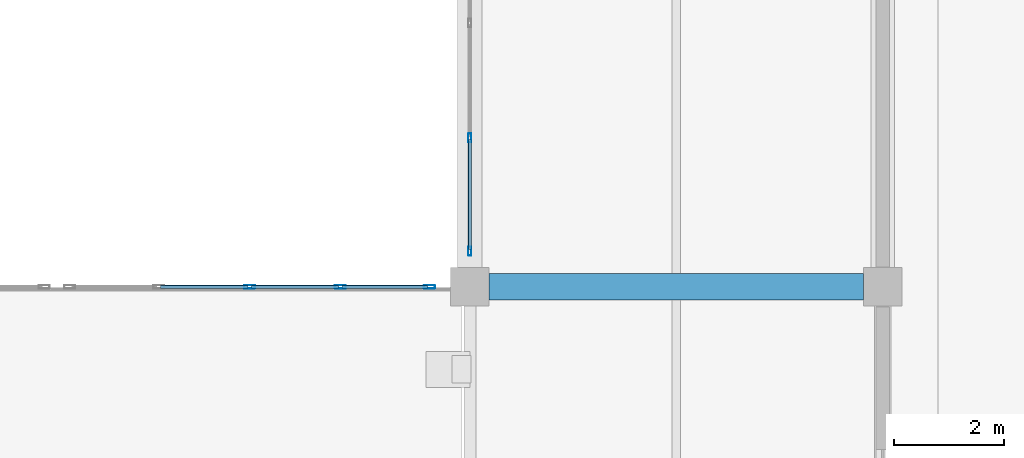
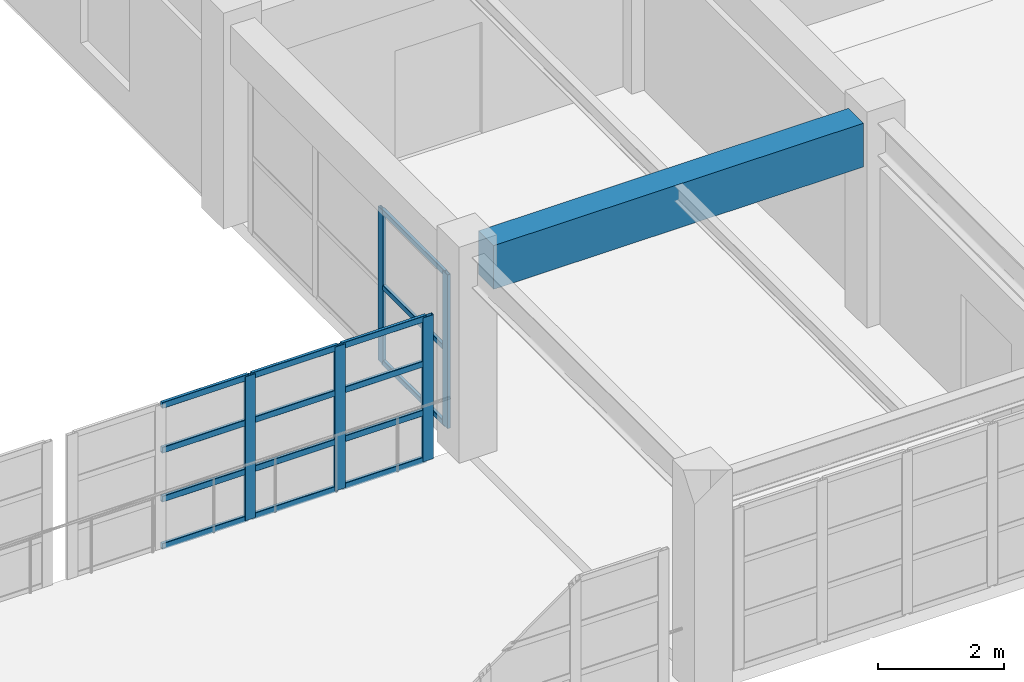
# One storey, part 59 of 132: 20 members, 1 beam, 2 elements without a shape of their own.
"""IFC4 building model written with IfcOpenShell, lengths in metres."""

from ifc_helpers import new_model, si_unit, direction, frame, origin, origin_2d, place, context, subcontext, project, spatial, rectangle, hollow_rectangle, extrude, material, material_profile, profile_set, type_object, element, aggregate, save


model = new_model("IFC4")

# Units and contexts
model_context = context("Model", 3, precision=1e-05, world=origin(), true_north=direction((0.0, 1.0)))
body_context = subcontext(model_context, "Body", "Model", "MODEL_VIEW")
ifc_project = project(units=[si_unit("LENGTHUNIT", "METRE"), si_unit("AREAUNIT", "SQUARE_METRE"), si_unit("VOLUMEUNIT", "CUBIC_METRE"), si_unit("PLANEANGLEUNIT", "RADIAN"), si_unit("MASSUNIT", "GRAM", prefix="KILO")], contexts=[model_context])

# Site, building, storey
site_placement = place(None, origin())
site = spatial("IfcSite", under=ifc_project, at=site_placement, CompositionType="ELEMENT")
building_placement = place(site_placement, origin())
building = spatial("IfcBuilding", under=site, at=building_placement, Name="Qasida Concert Hall", CompositionType="ELEMENT")
storey_placement = place(building_placement, frame((0.0, 0.0, 4.800048828125)))
storey = spatial("IfcBuildingStorey", under=building, at=storey_placement, Name="L01", CompositionType="ELEMENT", Elevation=4.800048828125)

# Beam
ifc_material_1 = material(Name="Concrete C40/50", Category="concrete")
ifc_material_profile_1 = material_profile(ifc_material_1, rectangle(XDim=0.47998046875, YDim=0.85009765625, at=origin_2d()), Name="RC 480x850")
ifc_profile_set_1 = profile_set([ifc_material_profile_1], Name="Concrete C40/50")
beam_type = type_object("IfcBeamType", Name="BM-G6", PredefinedType="USERDEFINED", material=ifc_profile_set_1)
beam_placement = place(storey_placement, frame((120.35009765625, 82.5, 3.494873046875), z_axis=(1.0, 0.0, 0.0), x_axis=(0.0, 1.0, 0.0)))
element("IfcBeam", 1, at=beam_placement, inside=storey, type_object=beam_type, Name="Primary girder 0983", ObjectType="GIRDER", PredefinedType="USERDEFINED", context=body_context, shape_type="SweptSolid", body=[
    extrude(rectangle(XDim=0.47998046875, YDim=0.85009765625, at=origin_2d()), origin(), (0.0, 0.0, 1.0), 6.7998046875),
])

# Curtain wall, members
ifc_material_2 = material(Name="Architectural bronze-anodized aluminium and low-E glass", Category="aluminium")
curtain_wall_type_1 = type_object("IfcCurtainWallType", Name="CW-08", PredefinedType="NOTDEFINED", material=ifc_material_2)
curtain_wall_1_placement = place(storey_placement, origin())
curtain_wall_1 = element("IfcCurtainWall", 2, at=curtain_wall_1_placement, inside=storey, type_object=curtain_wall_type_1, Name="L01 link bridge glazing 0229", PredefinedType="NOTDEFINED")
ifc_material_3 = material(Name="Architectural bronze-anodized aluminium EN AW-6063", Category="aluminium")
ifc_material_profile_2 = material_profile(ifc_material_3, hollow_rectangle(XDim=0.06494140625, YDim=0.199951171875, WallThickness=0.0048828125, InnerFilletRadius=0.0048828125, OuterFilletRadius=0.010009765625, at=origin_2d()), Name="CWM 200x65x5")
ifc_profile_set_2 = profile_set([ifc_material_profile_2], Name="Architectural bronze-anodized aluminium EN AW-6063")
member_type_1 = type_object("IfcMemberType", Name="MB-CWM-2", PredefinedType="MULLION", material=ifc_profile_set_2)
member_1_placement = place(storey_placement, frame((116.0, 82.5, 0.0), z_axis=(0.0, 0.0, 1.0), x_axis=(0.0, 1.0, 0.0)))
member_1 = element("IfcMember", 3, at=member_1_placement, type_object=member_type_1, Name="CW-08 mullion 3", PredefinedType="MULLION", context=body_context, shape_type="SweptSolid", body=[
    extrude(hollow_rectangle(XDim=0.06494140625, YDim=0.199951171875, WallThickness=0.0048828125, InnerFilletRadius=0.0048828125, OuterFilletRadius=0.010009765625, at=origin_2d()), origin(), (0.0, 0.0, 1.0), 2.800048828125),
])
member_2_placement = place(storey_placement, frame((117.64990234375, 82.5, 0.0), z_axis=(0.0, 0.0, 1.0), x_axis=(0.0, 1.0, 0.0)))
member_2 = element("IfcMember", 4, at=member_2_placement, type_object=member_type_1, Name="CW-08 mullion 4", PredefinedType="MULLION", context=body_context, shape_type="SweptSolid", body=[
    extrude(hollow_rectangle(XDim=0.06494140625, YDim=0.199951171875, WallThickness=0.0048828125, InnerFilletRadius=0.0048828125, OuterFilletRadius=0.010009765625, at=origin_2d()), origin(), (0.0, 0.0, 1.0), 2.800048828125),
])
member_3_placement = place(storey_placement, frame((119.267578125, 82.5, 0.0), z_axis=(0.0, 0.0, 1.0), x_axis=(0.0, 1.0, 0.0)))
member_3 = element("IfcMember", 5, at=member_3_placement, type_object=member_type_1, Name="CW-08 mullion 5", PredefinedType="MULLION", context=body_context, shape_type="SweptSolid", body=[
    extrude(hollow_rectangle(XDim=0.06494140625, YDim=0.199951171875, WallThickness=0.0048828125, InnerFilletRadius=0.0048828125, OuterFilletRadius=0.010009765625, at=origin_2d()), origin(), (0.0, 0.0, 1.0), 2.800048828125),
])

curtain_wall_type_2 = type_object("IfcCurtainWallType", Name="CW-09", PredefinedType="NOTDEFINED", material=ifc_material_2)
curtain_wall_2_placement = place(storey_placement, origin())
curtain_wall_2 = element("IfcCurtainWall", 6, at=curtain_wall_2_placement, inside=storey, type_object=curtain_wall_type_2, Name="L01 curtain wall CW-09 0165", PredefinedType="NOTDEFINED")
ifc_material_profile_3 = material_profile(ifc_material_3, hollow_rectangle(XDim=0.06005859375, YDim=0.159912109375, WallThickness=0.00390625, InnerFilletRadius=0.00390625, OuterFilletRadius=0.008056640625, at=origin_2d()), Name="CWM 160x60x4")
ifc_profile_set_3 = profile_set([ifc_material_profile_3], Name="Architectural bronze-anodized aluminium EN AW-6063")
member_type_2 = type_object("IfcMemberType", Name="MB-CWM-3", PredefinedType="MULLION", material=ifc_profile_set_3)
member_4_placement = place(storey_placement, frame((120.0, 83.14990234375, 0.0), z_axis=(0.0, 0.0, 1.0), x_axis=(-1.0, 0.0, 0.0)))
member_4 = element("IfcMember", 7, at=member_4_placement, type_object=member_type_2, Name="CW-09 mullion 1", PredefinedType="MULLION", context=body_context, shape_type="SweptSolid", body=[
    extrude(hollow_rectangle(XDim=0.06005859375, YDim=0.159912109375, WallThickness=0.00390625, InnerFilletRadius=0.00390625, OuterFilletRadius=0.008056640625, at=origin_2d()), origin(), (0.0, 0.0, 1.0), 2.989990234375),
])
member_5_placement = place(storey_placement, frame((120.0, 85.206787109375, 0.0), z_axis=(0.0, 0.0, 1.0), x_axis=(-1.0, 0.0, 0.0)))
member_5 = element("IfcMember", 8, at=member_5_placement, type_object=member_type_2, Name="CW-09 mullion 2", PredefinedType="MULLION", context=body_context, shape_type="SweptSolid", body=[
    extrude(hollow_rectangle(XDim=0.06005859375, YDim=0.159912109375, WallThickness=0.00390625, InnerFilletRadius=0.00390625, OuterFilletRadius=0.008056640625, at=origin_2d()), origin(), (0.0, 0.0, 1.0), 2.989990234375),
])

# Member
ifc_material_profile_4 = material_profile(ifc_material_3, hollow_rectangle(XDim=0.06005859375, YDim=0.1201171875, WallThickness=0.00390625, InnerFilletRadius=0.00390625, OuterFilletRadius=0.008056640625, at=origin_2d()), Name="CWT 120x60x4")
ifc_profile_set_4 = profile_set([ifc_material_profile_4], Name="Architectural bronze-anodized aluminium EN AW-6063")
member_type_3 = type_object("IfcMemberType", Name="MB-CWT-2", PredefinedType="USERDEFINED", material=ifc_profile_set_4)
member_6_placement = place(storey_placement, frame((114.382568359375, 82.5, 0.030029296875), z_axis=(1.0, 0.0, 0.0), x_axis=(0.0, 1.0, 0.0)))
member_6 = element("IfcMember", 9, at=member_6_placement, type_object=member_type_3, Name="CW-08 transom 2.1", ObjectType="TRANSOM", PredefinedType="USERDEFINED", context=body_context, shape_type="SweptSolid", body=[
    extrude(hollow_rectangle(XDim=0.06005859375, YDim=0.1201171875, WallThickness=0.00390625, InnerFilletRadius=0.00390625, OuterFilletRadius=0.008056640625, at=origin_2d()), origin(), (0.0, 0.0, 1.0), 1.5849609375),
])

member_7_placement = place(storey_placement, frame((114.382568359375, 82.5, 0.949951171875), z_axis=(1.0, 0.0, 0.0), x_axis=(0.0, 1.0, 0.0)))
member_7 = element("IfcMember", 10, at=member_7_placement, type_object=member_type_3, Name="CW-08 transom 2.2", ObjectType="TRANSOM", PredefinedType="USERDEFINED", context=body_context, shape_type="SweptSolid", body=[
    extrude(hollow_rectangle(XDim=0.06005859375, YDim=0.1201171875, WallThickness=0.00390625, InnerFilletRadius=0.00390625, OuterFilletRadius=0.008056640625, at=origin_2d()), origin(), (0.0, 0.0, 1.0), 1.5849609375),
])

member_8_placement = place(storey_placement, frame((114.382568359375, 82.5, 1.89990234375), z_axis=(1.0, 0.0, 0.0), x_axis=(0.0, 1.0, 0.0)))
member_8 = element("IfcMember", 11, at=member_8_placement, type_object=member_type_3, Name="CW-08 transom 2.3", ObjectType="TRANSOM", PredefinedType="USERDEFINED", context=body_context, shape_type="SweptSolid", body=[
    extrude(hollow_rectangle(XDim=0.06005859375, YDim=0.1201171875, WallThickness=0.00390625, InnerFilletRadius=0.00390625, OuterFilletRadius=0.008056640625, at=origin_2d()), origin(), (0.0, 0.0, 1.0), 1.5849609375),
])

member_9_placement = place(storey_placement, frame((114.382568359375, 82.5, 2.77001953125), z_axis=(1.0, 0.0, 0.0), x_axis=(0.0, 1.0, 0.0)))
member_9 = element("IfcMember", 12, at=member_9_placement, type_object=member_type_3, Name="CW-08 transom 2.4", ObjectType="TRANSOM", PredefinedType="USERDEFINED", context=body_context, shape_type="SweptSolid", body=[
    extrude(hollow_rectangle(XDim=0.06005859375, YDim=0.1201171875, WallThickness=0.00390625, InnerFilletRadius=0.00390625, OuterFilletRadius=0.008056640625, at=origin_2d()), origin(), (0.0, 0.0, 1.0), 1.5849609375),
])

member_10_placement = place(storey_placement, frame((116.032470703125, 82.5, 0.030029296875), z_axis=(1.0, 0.0, 0.0), x_axis=(0.0, 1.0, 0.0)))
member_10 = element("IfcMember", 13, at=member_10_placement, type_object=member_type_3, Name="CW-08 transom 3.1", ObjectType="TRANSOM", PredefinedType="USERDEFINED", context=body_context, shape_type="SweptSolid", body=[
    extrude(hollow_rectangle(XDim=0.06005859375, YDim=0.1201171875, WallThickness=0.00390625, InnerFilletRadius=0.00390625, OuterFilletRadius=0.008056640625, at=origin_2d()), origin(), (0.0, 0.0, 1.0), 1.5849609375),
])

member_11_placement = place(storey_placement, frame((116.032470703125, 82.5, 0.949951171875), z_axis=(1.0, 0.0, 0.0), x_axis=(0.0, 1.0, 0.0)))
member_11 = element("IfcMember", 14, at=member_11_placement, type_object=member_type_3, Name="CW-08 transom 3.2", ObjectType="TRANSOM", PredefinedType="USERDEFINED", context=body_context, shape_type="SweptSolid", body=[
    extrude(hollow_rectangle(XDim=0.06005859375, YDim=0.1201171875, WallThickness=0.00390625, InnerFilletRadius=0.00390625, OuterFilletRadius=0.008056640625, at=origin_2d()), origin(), (0.0, 0.0, 1.0), 1.5849609375),
])

member_12_placement = place(storey_placement, frame((116.032470703125, 82.5, 1.89990234375), z_axis=(1.0, 0.0, 0.0), x_axis=(0.0, 1.0, 0.0)))
member_12 = element("IfcMember", 15, at=member_12_placement, type_object=member_type_3, Name="CW-08 transom 3.3", ObjectType="TRANSOM", PredefinedType="USERDEFINED", context=body_context, shape_type="SweptSolid", body=[
    extrude(hollow_rectangle(XDim=0.06005859375, YDim=0.1201171875, WallThickness=0.00390625, InnerFilletRadius=0.00390625, OuterFilletRadius=0.008056640625, at=origin_2d()), origin(), (0.0, 0.0, 1.0), 1.5849609375),
])

member_13_placement = place(storey_placement, frame((116.032470703125, 82.5, 2.77001953125), z_axis=(1.0, 0.0, 0.0), x_axis=(0.0, 1.0, 0.0)))
member_13 = element("IfcMember", 16, at=member_13_placement, type_object=member_type_3, Name="CW-08 transom 3.4", ObjectType="TRANSOM", PredefinedType="USERDEFINED", context=body_context, shape_type="SweptSolid", body=[
    extrude(hollow_rectangle(XDim=0.06005859375, YDim=0.1201171875, WallThickness=0.00390625, InnerFilletRadius=0.00390625, OuterFilletRadius=0.008056640625, at=origin_2d()), origin(), (0.0, 0.0, 1.0), 1.5849609375),
])

member_14_placement = place(storey_placement, frame((117.6826171875, 82.5, 0.030029296875), z_axis=(1.0, 0.0, 0.0), x_axis=(0.0, 1.0, 0.0)))
member_14 = element("IfcMember", 17, at=member_14_placement, type_object=member_type_3, Name="CW-08 transom 4.1", ObjectType="TRANSOM", PredefinedType="USERDEFINED", context=body_context, shape_type="SweptSolid", body=[
    extrude(hollow_rectangle(XDim=0.06005859375, YDim=0.1201171875, WallThickness=0.00390625, InnerFilletRadius=0.00390625, OuterFilletRadius=0.008056640625, at=origin_2d()), origin(), (0.0, 0.0, 1.0), 1.552490234375),
])

member_15_placement = place(storey_placement, frame((117.6826171875, 82.5, 0.949951171875), z_axis=(1.0, 0.0, 0.0), x_axis=(0.0, 1.0, 0.0)))
member_15 = element("IfcMember", 18, at=member_15_placement, type_object=member_type_3, Name="CW-08 transom 4.2", ObjectType="TRANSOM", PredefinedType="USERDEFINED", context=body_context, shape_type="SweptSolid", body=[
    extrude(hollow_rectangle(XDim=0.06005859375, YDim=0.1201171875, WallThickness=0.00390625, InnerFilletRadius=0.00390625, OuterFilletRadius=0.008056640625, at=origin_2d()), origin(), (0.0, 0.0, 1.0), 1.552490234375),
])

member_16_placement = place(storey_placement, frame((117.6826171875, 82.5, 1.89990234375), z_axis=(1.0, 0.0, 0.0), x_axis=(0.0, 1.0, 0.0)))
member_16 = element("IfcMember", 19, at=member_16_placement, type_object=member_type_3, Name="CW-08 transom 4.3", ObjectType="TRANSOM", PredefinedType="USERDEFINED", context=body_context, shape_type="SweptSolid", body=[
    extrude(hollow_rectangle(XDim=0.06005859375, YDim=0.1201171875, WallThickness=0.00390625, InnerFilletRadius=0.00390625, OuterFilletRadius=0.008056640625, at=origin_2d()), origin(), (0.0, 0.0, 1.0), 1.552490234375),
])

member_17_placement = place(storey_placement, frame((117.6826171875, 82.5, 2.77001953125), z_axis=(1.0, 0.0, 0.0), x_axis=(0.0, 1.0, 0.0)))
member_17 = element("IfcMember", 20, at=member_17_placement, type_object=member_type_3, Name="CW-08 transom 4.4", ObjectType="TRANSOM", PredefinedType="USERDEFINED", context=body_context, shape_type="SweptSolid", body=[
    extrude(hollow_rectangle(XDim=0.06005859375, YDim=0.1201171875, WallThickness=0.00390625, InnerFilletRadius=0.00390625, OuterFilletRadius=0.008056640625, at=origin_2d()), origin(), (0.0, 0.0, 1.0), 1.552490234375),
])

aggregate(curtain_wall_1, [member_1, member_2, member_3, member_6, member_7, member_8, member_9, member_10, member_11, member_12, member_13, member_14, member_15, member_16, member_17])

ifc_material_profile_5 = material_profile(ifc_material_3, hollow_rectangle(XDim=0.06005859375, YDim=0.10009765625, WallThickness=0.00341796875, InnerFilletRadius=0.00341796875, OuterFilletRadius=0.007080078125, at=origin_2d()), Name="CWT 100x60x3.5")
ifc_profile_set_5 = profile_set([ifc_material_profile_5], Name="Architectural bronze-anodized aluminium EN AW-6063")
member_type_4 = type_object("IfcMemberType", Name="MB-CWT-3", PredefinedType="USERDEFINED", material=ifc_profile_set_5)
member_18_placement = place(storey_placement, frame((120.0, 83.179931640625, 0.030029296875), z_axis=(0.0, 1.0, 0.0), x_axis=(-1.0, 0.0, 0.0)))
member_18 = element("IfcMember", 21, at=member_18_placement, type_object=member_type_4, Name="CW-09 transom 1.1", ObjectType="TRANSOM", PredefinedType="USERDEFINED", context=body_context, shape_type="SweptSolid", body=[
    extrude(hollow_rectangle(XDim=0.06005859375, YDim=0.10009765625, WallThickness=0.00341796875, InnerFilletRadius=0.00341796875, OuterFilletRadius=0.007080078125, at=origin_2d()), origin(), (0.0, 0.0, 1.0), 1.996826171875),
])

member_19_placement = place(storey_placement, frame((120.0, 83.179931640625, 1.494873046875), z_axis=(0.0, 1.0, 0.0), x_axis=(-1.0, 0.0, 0.0)))
member_19 = element("IfcMember", 22, at=member_19_placement, type_object=member_type_4, Name="CW-09 transom 1.2", ObjectType="TRANSOM", PredefinedType="USERDEFINED", context=body_context, shape_type="SweptSolid", body=[
    extrude(hollow_rectangle(XDim=0.06005859375, YDim=0.10009765625, WallThickness=0.00341796875, InnerFilletRadius=0.00341796875, OuterFilletRadius=0.007080078125, at=origin_2d()), origin(), (0.0, 0.0, 1.0), 1.996826171875),
])

member_20_placement = place(storey_placement, frame((120.0, 83.179931640625, 2.9599609375), z_axis=(0.0, 1.0, 0.0), x_axis=(-1.0, 0.0, 0.0)))
member_20 = element("IfcMember", 23, at=member_20_placement, type_object=member_type_4, Name="CW-09 transom 1.3", ObjectType="TRANSOM", PredefinedType="USERDEFINED", context=body_context, shape_type="SweptSolid", body=[
    extrude(hollow_rectangle(XDim=0.06005859375, YDim=0.10009765625, WallThickness=0.00341796875, InnerFilletRadius=0.00341796875, OuterFilletRadius=0.007080078125, at=origin_2d()), origin(), (0.0, 0.0, 1.0), 1.996826171875),
])

aggregate(curtain_wall_2, [member_4, member_5, member_18, member_19, member_20])

save(model, "model.ifc")
